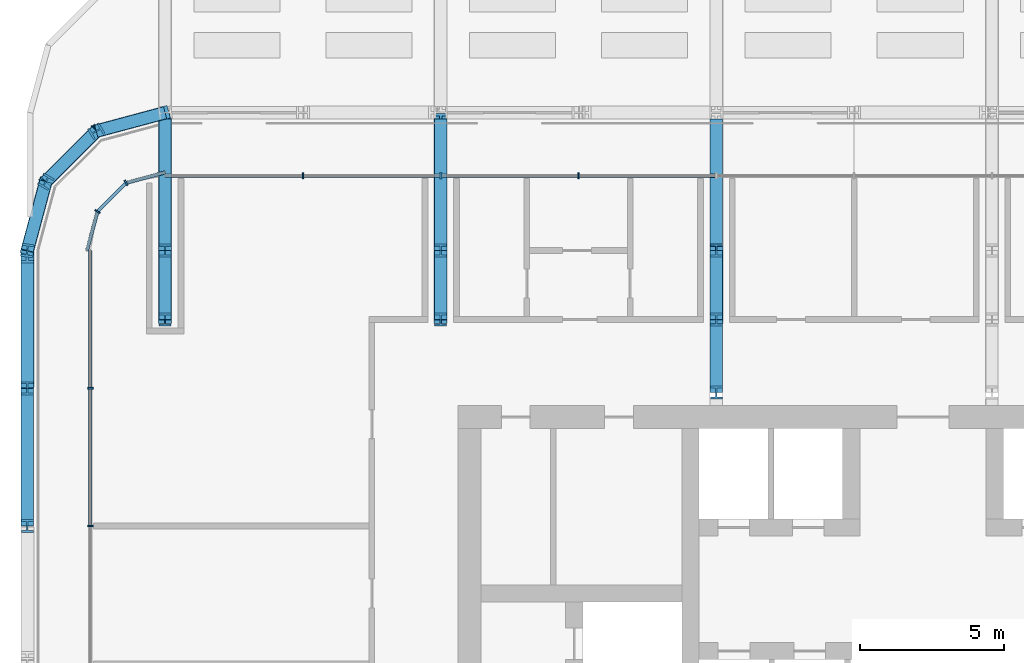
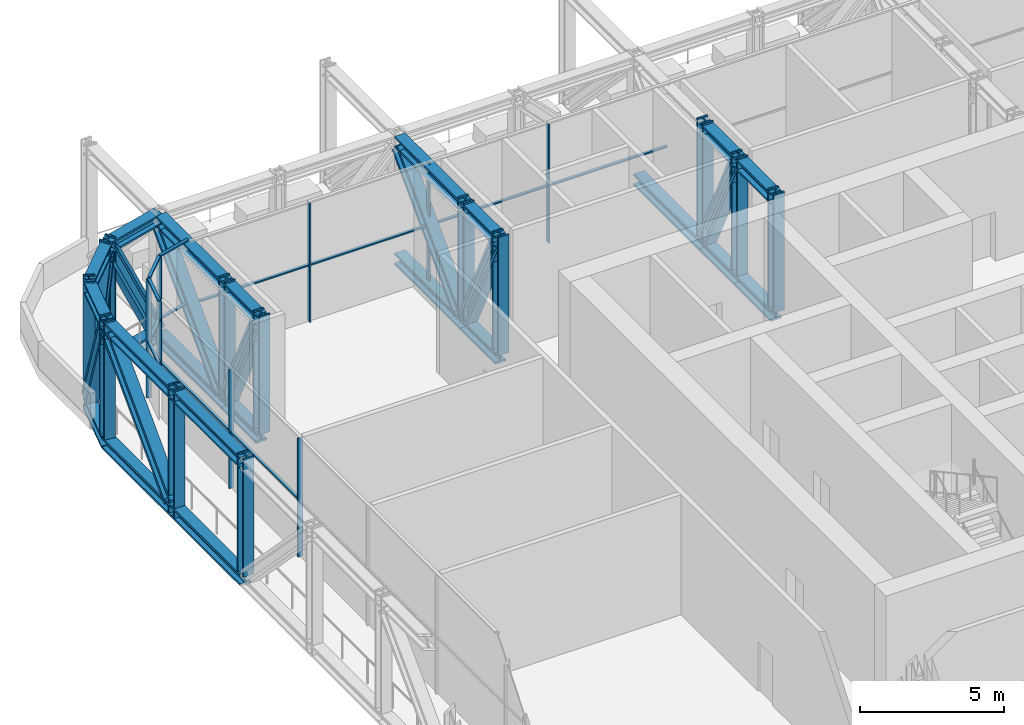
# One storey, part 9 of 27: 63 members, 3 elements without a shape of their own.
"""IFC4 building model written with IfcOpenShell, lengths in metres."""

from ifc_helpers import new_model, si_unit, direction, frame, origin, origin_2d, place, context, subcontext, project, spatial, rectangle, i_section, extrude, material, layer, layer_set, material_profile, profile_set, type_object, element, aggregate, save


model = new_model("IFC4")

# Units and contexts
model_context = context("Model", 3, precision=1e-05, world=origin(), true_north=direction((0.0, 1.0)))
body_context = subcontext(model_context, "Body", "Model", "MODEL_VIEW")
ifc_project = project(units=[si_unit("LENGTHUNIT", "METRE"), si_unit("AREAUNIT", "SQUARE_METRE"), si_unit("VOLUMEUNIT", "CUBIC_METRE"), si_unit("PLANEANGLEUNIT", "RADIAN"), si_unit("MASSUNIT", "GRAM", prefix="KILO")], contexts=[model_context])

# Site, building, storey
site_placement = place(None, origin())
site = spatial("IfcSite", under=ifc_project, at=site_placement, CompositionType="ELEMENT")
building_placement = place(site_placement, origin())
building = spatial("IfcBuilding", under=site, at=building_placement, Name="Madar Terraces", CompositionType="ELEMENT")
storey_placement = place(building_placement, frame((0.0, 0.0, 143.60009765625)))
storey = spatial("IfcBuildingStorey", under=building, at=storey_placement, Name="L37", CompositionType="ELEMENT", Elevation=143.60009765625)

# Members
ifc_material_1 = material(Name="Steel ASTM A913 Grade 65", Category="steel")
ifc_material_profile_1 = material_profile(ifc_material_1, i_section(OverallWidth=0.431884765625, OverallDepth=0.497802734375, WebThickness=0.0556640625, FlangeThickness=0.0888671875, at=origin_2d()), Name="W14x500")
ifc_profile_set_1 = profile_set([ifc_material_profile_1], Name="Steel ASTM A913 Grade 65")
member_type_1 = type_object("IfcMemberType", Name="BC5 W14x500", PredefinedType="CHORD", material=ifc_profile_set_1)
member_1_placement = place(storey_placement, frame((4.800048828125, 48.0, -0.171142578125), z_axis=(-0.965930947833, -0.258799930484, 0.0), x_axis=(0.258799930484, -0.965930947833, 0.0)))
element("IfcMember", 1, at=member_1_placement, inside=storey, type_object=member_type_1, Name="Exoskeleton truss ring bottom chord BC5", PredefinedType="CHORD", context=body_context, shape_type="SweptSolid", body=[
    extrude(i_section(OverallWidth=0.431884765625, OverallDepth=0.497802734375, WebThickness=0.0556640625, FlangeThickness=0.0888671875, at=origin_2d()), origin(), (0.0, 0.0, 1.0), 2.48486328125),
])
member_2_placement = place(storey_placement, frame((2.39990234375, 47.35693359375, -0.171142578125), z_axis=(-0.707106781187, -0.707106781187, 0.0), x_axis=(0.707106781187, -0.707106781187, 0.0)))
element("IfcMember", 2, at=member_2_placement, inside=storey, type_object=member_type_1, Name="Exoskeleton truss ring bottom chord BC5", PredefinedType="CHORD", context=body_context, shape_type="SweptSolid", body=[
    extrude(i_section(OverallWidth=0.431884765625, OverallDepth=0.497802734375, WebThickness=0.0556640625, FlangeThickness=0.0888671875, at=origin_2d()), origin(), (0.0, 0.0, 1.0), 2.484619140625),
])
member_3_placement = place(storey_placement, frame((0.64306640625, 45.60009765625, -0.171142578125), z_axis=(-0.258799930484, -0.965930947833, 0.0), x_axis=(0.965930947833, -0.258799930484, 0.0)))
element("IfcMember", 3, at=member_3_placement, inside=storey, type_object=member_type_1, Name="Exoskeleton truss ring bottom chord BC5", PredefinedType="CHORD", context=body_context, shape_type="SweptSolid", body=[
    extrude(i_section(OverallWidth=0.431884765625, OverallDepth=0.497802734375, WebThickness=0.0556640625, FlangeThickness=0.0888671875, at=origin_2d()), origin(), (0.0, 0.0, 1.0), 2.48486328125),
])
member_4_placement = place(storey_placement, frame((0.0, 43.199951171875, -0.171142578125), z_axis=(0.0, -1.0, 0.0), x_axis=(1.0, 0.0, 0.0)))
element("IfcMember", 4, at=member_4_placement, inside=storey, type_object=member_type_1, Name="Exoskeleton truss ring bottom chord BC5", PredefinedType="CHORD", context=body_context, shape_type="SweptSolid", body=[
    extrude(i_section(OverallWidth=0.431884765625, OverallDepth=0.497802734375, WebThickness=0.0556640625, FlangeThickness=0.0888671875, at=origin_2d()), origin(), (0.0, 0.0, 1.0), 4.800048828125),
])
member_5_placement = place(storey_placement, frame((0.0, 38.39990234375, -0.171142578125), z_axis=(0.0, -1.0, 0.0), x_axis=(1.0, 0.0, 0.0)))
element("IfcMember", 5, at=member_5_placement, inside=storey, type_object=member_type_1, Name="Exoskeleton truss ring bottom chord BC5", PredefinedType="CHORD", context=body_context, shape_type="SweptSolid", body=[
    extrude(i_section(OverallWidth=0.431884765625, OverallDepth=0.497802734375, WebThickness=0.0556640625, FlangeThickness=0.0888671875, at=origin_2d()), origin(), (0.0, 0.0, 1.0), 4.7998046875),
])
member_6_placement = place(storey_placement, frame((4.800048828125, 47.7841796875, -0.171142578125), z_axis=(0.0, -1.0, 0.0), x_axis=(1.0, 0.0, 0.0)))
element("IfcMember", 6, at=member_6_placement, inside=storey, type_object=member_type_1, Name="Exoskeleton truss cross N4.8 bottom chord BC5", PredefinedType="CHORD", context=body_context, shape_type="SweptSolid", body=[
    extrude(i_section(OverallWidth=0.431884765625, OverallDepth=0.497802734375, WebThickness=0.0556640625, FlangeThickness=0.0888671875, at=origin_2d()), origin(), (0.0, 0.0, 1.0), 4.584228515625),
])
member_7_placement = place(storey_placement, frame((4.800048828125, 43.199951171875, -0.171142578125), z_axis=(0.0, -1.0, 0.0), x_axis=(1.0, 0.0, 0.0)))
element("IfcMember", 7, at=member_7_placement, inside=storey, type_object=member_type_1, Name="Exoskeleton truss cross N4.8 bottom chord BC5", PredefinedType="CHORD", context=body_context, shape_type="SweptSolid", body=[
    extrude(i_section(OverallWidth=0.431884765625, OverallDepth=0.497802734375, WebThickness=0.0556640625, FlangeThickness=0.0888671875, at=origin_2d()), origin(), (0.0, 0.0, 1.0), 2.39990234375),
])
member_8_placement = place(storey_placement, frame((14.39990234375, 47.7841796875, -0.171142578125), z_axis=(0.0, -1.0, 0.0), x_axis=(1.0, 0.0, 0.0)))
element("IfcMember", 8, at=member_8_placement, inside=storey, type_object=member_type_1, Name="Exoskeleton truss cross N14.4 bottom chord BC5", PredefinedType="CHORD", context=body_context, shape_type="SweptSolid", body=[
    extrude(i_section(OverallWidth=0.431884765625, OverallDepth=0.497802734375, WebThickness=0.0556640625, FlangeThickness=0.0888671875, at=origin_2d()), origin(), (0.0, 0.0, 1.0), 4.584228515625),
])
member_9_placement = place(storey_placement, frame((14.39990234375, 43.199951171875, -0.171142578125), z_axis=(0.0, -1.0, 0.0), x_axis=(1.0, 0.0, 0.0)))
element("IfcMember", 9, at=member_9_placement, inside=storey, type_object=member_type_1, Name="Exoskeleton truss cross N14.4 bottom chord BC5", PredefinedType="CHORD", context=body_context, shape_type="SweptSolid", body=[
    extrude(i_section(OverallWidth=0.431884765625, OverallDepth=0.497802734375, WebThickness=0.0556640625, FlangeThickness=0.0888671875, at=origin_2d()), origin(), (0.0, 0.0, 1.0), 2.39990234375),
])
member_10_placement = place(storey_placement, frame((24.0, 47.7841796875, -0.171142578125), z_axis=(0.0, -1.0, 0.0), x_axis=(1.0, 0.0, 0.0)))
element("IfcMember", 10, at=member_10_placement, inside=storey, type_object=member_type_1, Name="Exoskeleton truss cross N24 bottom chord BC5", PredefinedType="CHORD", context=body_context, shape_type="SweptSolid", body=[
    extrude(i_section(OverallWidth=0.431884765625, OverallDepth=0.497802734375, WebThickness=0.0556640625, FlangeThickness=0.0888671875, at=origin_2d()), origin(), (0.0, 0.0, 1.0), 4.584228515625),
])
member_11_placement = place(storey_placement, frame((24.0, 43.199951171875, -0.171142578125), z_axis=(0.0, -1.0, 0.0), x_axis=(1.0, 0.0, 0.0)))
element("IfcMember", 11, at=member_11_placement, inside=storey, type_object=member_type_1, Name="Exoskeleton truss cross N24 bottom chord BC5", PredefinedType="CHORD", context=body_context, shape_type="SweptSolid", body=[
    extrude(i_section(OverallWidth=0.431884765625, OverallDepth=0.497802734375, WebThickness=0.0556640625, FlangeThickness=0.0888671875, at=origin_2d()), origin(), (0.0, 0.0, 1.0), 2.39990234375),
])
member_12_placement = place(storey_placement, frame((24.0, 40.800048828125, -0.171142578125), z_axis=(0.0, -1.0, 0.0), x_axis=(1.0, 0.0, 0.0)))
element("IfcMember", 12, at=member_12_placement, inside=storey, type_object=member_type_1, Name="Exoskeleton truss cross N24 bottom chord BC5", PredefinedType="CHORD", context=body_context, shape_type="SweptSolid", body=[
    extrude(i_section(OverallWidth=0.431884765625, OverallDepth=0.497802734375, WebThickness=0.0556640625, FlangeThickness=0.0888671875, at=origin_2d()), origin(), (0.0, 0.0, 1.0), 2.550048828125),
])

# Curtain wall, members
ifc_material_2 = material(Name="Glass, ceramic frit dark grey, with black aluminium frame", Category="aluminium")
ifc_layer = layer(ifc_material_2, 0.199951171875)
ifc_layer_set = layer_set([ifc_layer], Name="Facade curtain wall, tall glazing")
curtain_wall_type = type_object("IfcCurtainWallType", Name="Facade curtain wall, tall glazing", PredefinedType="NOTDEFINED", material=ifc_layer_set)
curtain_wall_1_placement = place(storey_placement, origin())
curtain_wall_1 = element("IfcCurtainWall", 13, at=curtain_wall_1_placement, inside=storey, type_object=curtain_wall_type, Name="Outer skin curtain wall north bay 1", PredefinedType="NOTDEFINED")
ifc_material_3 = material(Name="Aluminium, black anodised", Category="aluminium")
ifc_material_profile_2 = material_profile(ifc_material_3, rectangle(XDim=0.199951171875, YDim=0.06005859375, at=origin_2d()), Name="Facade mullion 60x200")
ifc_profile_set_2 = profile_set([ifc_material_profile_2], Name="Aluminium, black anodised")
member_type_2 = type_object("IfcMemberType", Name="Facade mullion 60x200", PredefinedType="MULLION", material=ifc_profile_set_2)
member_13_placement = place(storey_placement, frame((19.199951171875, 45.800048828125, 0.0), z_axis=(0.0, 0.0, 1.0), x_axis=(0.0, -1.0, 0.0)))
member_13 = element("IfcMember", 14, at=member_13_placement, type_object=member_type_2, Name="Mullion 7", PredefinedType="MULLION", context=body_context, shape_type="SweptSolid", body=[
    extrude(rectangle(XDim=0.199951171875, YDim=0.06005859375, at=origin_2d()), origin(), (0.0, 0.0, 1.0), 5.039794921875),
])
member_14_placement = place(storey_placement, frame((14.39990234375, 45.800048828125, 0.0), z_axis=(0.0, 0.0, 1.0), x_axis=(0.0, -1.0, 0.0)))
member_14 = element("IfcMember", 15, at=member_14_placement, type_object=member_type_2, Name="Mullion 8", PredefinedType="MULLION", context=body_context, shape_type="SweptSolid", body=[
    extrude(rectangle(XDim=0.199951171875, YDim=0.06005859375, at=origin_2d()), origin(), (0.0, 0.0, 1.0), 5.039794921875),
])
member_15_placement = place(storey_placement, frame((9.60009765625, 45.800048828125, 0.0), z_axis=(0.0, 0.0, 1.0), x_axis=(0.0, -1.0, 0.0)))
member_15 = element("IfcMember", 16, at=member_15_placement, type_object=member_type_2, Name="Mullion 9", PredefinedType="MULLION", context=body_context, shape_type="SweptSolid", body=[
    extrude(rectangle(XDim=0.199951171875, YDim=0.06005859375, at=origin_2d()), origin(), (0.0, 0.0, 1.0), 5.039794921875),
])

curtain_wall_2_placement = place(storey_placement, origin())
curtain_wall_2 = element("IfcCurtainWall", 17, at=curtain_wall_2_placement, inside=storey, type_object=curtain_wall_type, Name="Outer skin curtain wall west bay 1", PredefinedType="NOTDEFINED")
member_16_placement = place(storey_placement, frame((2.199951171875, 38.39990234375, 0.0), z_axis=(0.0, 0.0, 1.0), x_axis=(1.0, 0.0, 0.0)))
member_16 = element("IfcMember", 18, at=member_16_placement, type_object=member_type_2, Name="Mullion 1", PredefinedType="MULLION", context=body_context, shape_type="SweptSolid", body=[
    extrude(rectangle(XDim=0.199951171875, YDim=0.06005859375, at=origin_2d()), origin(), (0.0, 0.0, 1.0), 5.039794921875),
])
member_17_placement = place(storey_placement, frame((2.199951171875, 33.60009765625, 0.0), z_axis=(0.0, 0.0, 1.0), x_axis=(1.0, 0.0, 0.0)))
member_17 = element("IfcMember", 19, at=member_17_placement, type_object=member_type_2, Name="Mullion 2", PredefinedType="MULLION", context=body_context, shape_type="SweptSolid", body=[
    extrude(rectangle(XDim=0.199951171875, YDim=0.06005859375, at=origin_2d()), origin(), (0.0, 0.0, 1.0), 5.039794921875),
])

curtain_wall_3_placement = place(storey_placement, origin())
curtain_wall_3 = element("IfcCurtainWall", 20, at=curtain_wall_3_placement, inside=storey, type_object=curtain_wall_type, Name="Outer skin curtain wall north-west corner", PredefinedType="NOTDEFINED")
member_18_placement = place(storey_placement, frame((3.43994140625, 45.5556640625, 0.0), z_axis=(0.0, 0.0, 1.0), x_axis=(0.500000029202, -0.866025386925, 0.0)))
member_18 = element("IfcMember", 21, at=member_18_placement, type_object=member_type_2, Name="Mullion 1", PredefinedType="MULLION", context=body_context, shape_type="SweptSolid", body=[
    extrude(rectangle(XDim=0.199951171875, YDim=0.06005859375, at=origin_2d()), origin(), (0.0, 0.0, 1.0), 5.039794921875),
])
member_19_placement = place(storey_placement, frame((2.4443359375, 44.56005859375, 0.0), z_axis=(0.0, 0.0, 1.0), x_axis=(0.866025386925, -0.500000029202, 0.0)))
member_19 = element("IfcMember", 22, at=member_19_placement, type_object=member_type_2, Name="Mullion 2", PredefinedType="MULLION", context=body_context, shape_type="SweptSolid", body=[
    extrude(rectangle(XDim=0.199951171875, YDim=0.06005859375, at=origin_2d()), origin(), (0.0, 0.0, 1.0), 5.039794921875),
])

# Member
ifc_material_4 = material(Name="Aluminium, black anodised", Category="aluminium")
ifc_material_profile_3 = material_profile(ifc_material_4, rectangle(XDim=0.1201171875, YDim=0.06005859375, at=origin_2d()), Name="Facade transom 60x120")
ifc_profile_set_3 = profile_set([ifc_material_profile_3], Name="Aluminium, black anodised")
member_type_3 = type_object("IfcMemberType", Name="Facade transom 60x120", PredefinedType="USERDEFINED", material=ifc_profile_set_3)
member_20_placement = place(storey_placement, frame((23.969970703125, 45.800048828125, 2.39990234375), z_axis=(-1.0, 0.0, 0.0), x_axis=(0.0, -1.0, 0.0)))
member_20 = element("IfcMember", 23, at=member_20_placement, type_object=member_type_3, Name="Transom 8", ObjectType="TRANSOM", PredefinedType="USERDEFINED", context=body_context, shape_type="SweptSolid", body=[
    extrude(rectangle(XDim=0.1201171875, YDim=0.06005859375, at=origin_2d()), origin(), (0.0, 0.0, 1.0), 4.739990234375),
])

member_21_placement = place(storey_placement, frame((19.169921875, 45.800048828125, 2.39990234375), z_axis=(-1.0, 0.0, 0.0), x_axis=(0.0, -1.0, 0.0)))
member_21 = element("IfcMember", 24, at=member_21_placement, type_object=member_type_3, Name="Transom 9", ObjectType="TRANSOM", PredefinedType="USERDEFINED", context=body_context, shape_type="SweptSolid", body=[
    extrude(rectangle(XDim=0.1201171875, YDim=0.06005859375, at=origin_2d()), origin(), (0.0, 0.0, 1.0), 4.739990234375),
])

member_22_placement = place(storey_placement, frame((14.3701171875, 45.800048828125, 2.39990234375), z_axis=(-1.0, 0.0, 0.0), x_axis=(0.0, -1.0, 0.0)))
member_22 = element("IfcMember", 25, at=member_22_placement, type_object=member_type_3, Name="Transom 10", ObjectType="TRANSOM", PredefinedType="USERDEFINED", context=body_context, shape_type="SweptSolid", body=[
    extrude(rectangle(XDim=0.1201171875, YDim=0.06005859375, at=origin_2d()), origin(), (0.0, 0.0, 1.0), 4.740234375),
])

member_23_placement = place(storey_placement, frame((9.570068359375, 45.800048828125, 2.39990234375), z_axis=(-1.0, 0.0, 0.0), x_axis=(0.0, -1.0, 0.0)))
member_23 = element("IfcMember", 26, at=member_23_placement, type_object=member_type_3, Name="Transom 11", ObjectType="TRANSOM", PredefinedType="USERDEFINED", context=body_context, shape_type="SweptSolid", body=[
    extrude(rectangle(XDim=0.1201171875, YDim=0.06005859375, at=origin_2d()), origin(), (0.0, 0.0, 1.0), 4.77001953125),
])

aggregate(curtain_wall_1, [member_13, member_14, member_15, member_20, member_21, member_22, member_23])

member_24_placement = place(storey_placement, frame((2.199951171875, 43.199951171875, 2.39990234375), z_axis=(0.0, -1.0, 0.0), x_axis=(1.0, 0.0, 0.0)))
member_24 = element("IfcMember", 27, at=member_24_placement, type_object=member_type_3, Name="Transom 2", ObjectType="TRANSOM", PredefinedType="USERDEFINED", context=body_context, shape_type="SweptSolid", body=[
    extrude(rectangle(XDim=0.1201171875, YDim=0.06005859375, at=origin_2d()), origin(), (0.0, 0.0, 1.0), 4.77001953125),
])

member_25_placement = place(storey_placement, frame((2.199951171875, 38.3701171875, 2.39990234375), z_axis=(0.0, -1.0, 0.0), x_axis=(1.0, 0.0, 0.0)))
member_25 = element("IfcMember", 28, at=member_25_placement, type_object=member_type_3, Name="Transom 3", ObjectType="TRANSOM", PredefinedType="USERDEFINED", context=body_context, shape_type="SweptSolid", body=[
    extrude(rectangle(XDim=0.1201171875, YDim=0.06005859375, at=origin_2d()), origin(), (0.0, 0.0, 1.0), 4.740234375),
])

aggregate(curtain_wall_2, [member_16, member_17, member_24, member_25])

member_26_placement = place(storey_placement, frame((4.800048828125, 45.919921875, 5.06982421875), z_axis=(-0.965919580711, -0.258842352791, 0.0), x_axis=(0.258842352791, -0.965919580711, 0.0)))
member_26 = element("IfcMember", 29, at=member_26_placement, type_object=member_type_3, Name="Transom 1", ObjectType="TRANSOM", PredefinedType="USERDEFINED", context=body_context, shape_type="SweptSolid", body=[
    extrude(rectangle(XDim=0.1201171875, YDim=0.06005859375, at=origin_2d()), origin(), (0.0, 0.0, 1.0), 1.3779296875),
])

member_27_placement = place(storey_placement, frame((4.800048828125, 45.919921875, 2.39990234375), z_axis=(-0.965919580711, -0.258842352791, 0.0), x_axis=(0.258842352791, -0.965919580711, 0.0)))
member_27 = element("IfcMember", 30, at=member_27_placement, type_object=member_type_3, Name="Transom 2", ObjectType="TRANSOM", PredefinedType="USERDEFINED", context=body_context, shape_type="SweptSolid", body=[
    extrude(rectangle(XDim=0.1201171875, YDim=0.06005859375, at=origin_2d()), origin(), (0.0, 0.0, 1.0), 1.3779296875),
])

member_28_placement = place(storey_placement, frame((3.418701171875, 45.534423828125, 5.06982421875), z_axis=(-0.707106781187, -0.707106781187, 0.0), x_axis=(0.707106781187, -0.707106781187, 0.0)))
member_28 = element("IfcMember", 31, at=member_28_placement, type_object=member_type_3, Name="Transom 3", ObjectType="TRANSOM", PredefinedType="USERDEFINED", context=body_context, shape_type="SweptSolid", body=[
    extrude(rectangle(XDim=0.1201171875, YDim=0.06005859375, at=origin_2d()), origin(), (0.0, 0.0, 1.0), 1.347900390625),
])

member_29_placement = place(storey_placement, frame((3.418701171875, 45.534423828125, 2.39990234375), z_axis=(-0.707106781187, -0.707106781187, 0.0), x_axis=(0.707106781187, -0.707106781187, 0.0)))
member_29 = element("IfcMember", 32, at=member_29_placement, type_object=member_type_3, Name="Transom 4", ObjectType="TRANSOM", PredefinedType="USERDEFINED", context=body_context, shape_type="SweptSolid", body=[
    extrude(rectangle(XDim=0.1201171875, YDim=0.06005859375, at=origin_2d()), origin(), (0.0, 0.0, 1.0), 1.347900390625),
])

member_30_placement = place(storey_placement, frame((2.436767578125, 44.531005859375, 5.06982421875), z_axis=(-0.258842352791, -0.965919580711, 0.0), x_axis=(0.965919580711, -0.258842352791, 0.0)))
member_30 = element("IfcMember", 33, at=member_30_placement, type_object=member_type_3, Name="Transom 5", ObjectType="TRANSOM", PredefinedType="USERDEFINED", context=body_context, shape_type="SweptSolid", body=[
    extrude(rectangle(XDim=0.1201171875, YDim=0.06005859375, at=origin_2d()), origin(), (0.0, 0.0, 1.0), 1.3779296875),
])

member_31_placement = place(storey_placement, frame((2.436767578125, 44.531005859375, 2.39990234375), z_axis=(-0.258842352791, -0.965919580711, 0.0), x_axis=(0.965919580711, -0.258842352791, 0.0)))
member_31 = element("IfcMember", 34, at=member_31_placement, type_object=member_type_3, Name="Transom 6", ObjectType="TRANSOM", PredefinedType="USERDEFINED", context=body_context, shape_type="SweptSolid", body=[
    extrude(rectangle(XDim=0.1201171875, YDim=0.06005859375, at=origin_2d()), origin(), (0.0, 0.0, 1.0), 1.3779296875),
])

aggregate(curtain_wall_3, [member_18, member_26, member_27, member_19, member_28, member_29, member_30, member_31])

# Members
ifc_material_5 = material(Name="Steel ASTM A913 Grade 65", Category="steel")
ifc_material_profile_4 = material_profile(ifc_material_5, i_section(OverallWidth=0.424072265625, OverallDepth=0.47509765625, WebThickness=0.0478515625, FlangeThickness=0.0771484375, at=origin_2d()), Name="W14x426")
ifc_profile_set_4 = profile_set([ifc_material_profile_4], Name="Steel ASTM A913 Grade 65")
member_type_4 = type_object("IfcMemberType", Name="TC5 W14x426", PredefinedType="CHORD", material=ifc_profile_set_4)
member_32_placement = place(storey_placement, frame((4.800048828125, 48.0, 4.79248046875), z_axis=(-0.965930947833, -0.258799930484, 0.0), x_axis=(0.258799930484, -0.965930947833, 0.0)))
element("IfcMember", 35, at=member_32_placement, inside=storey, type_object=member_type_4, Name="Exoskeleton truss ring top chord TC5", PredefinedType="CHORD", context=body_context, shape_type="SweptSolid", body=[
    extrude(i_section(OverallWidth=0.424072265625, OverallDepth=0.47509765625, WebThickness=0.0478515625, FlangeThickness=0.0771484375, at=origin_2d()), origin(), (0.0, 0.0, 1.0), 2.48486328125),
])
member_33_placement = place(storey_placement, frame((2.39990234375, 47.35693359375, 4.79248046875), z_axis=(-0.707106781187, -0.707106781187, 0.0), x_axis=(0.707106781187, -0.707106781187, 0.0)))
element("IfcMember", 36, at=member_33_placement, inside=storey, type_object=member_type_4, Name="Exoskeleton truss ring top chord TC5", PredefinedType="CHORD", context=body_context, shape_type="SweptSolid", body=[
    extrude(i_section(OverallWidth=0.424072265625, OverallDepth=0.47509765625, WebThickness=0.0478515625, FlangeThickness=0.0771484375, at=origin_2d()), origin(), (0.0, 0.0, 1.0), 2.484619140625),
])
member_34_placement = place(storey_placement, frame((0.64306640625, 45.60009765625, 4.79248046875), z_axis=(-0.258799930484, -0.965930947833, 0.0), x_axis=(0.965930947833, -0.258799930484, 0.0)))
element("IfcMember", 37, at=member_34_placement, inside=storey, type_object=member_type_4, Name="Exoskeleton truss ring top chord TC5", PredefinedType="CHORD", context=body_context, shape_type="SweptSolid", body=[
    extrude(i_section(OverallWidth=0.424072265625, OverallDepth=0.47509765625, WebThickness=0.0478515625, FlangeThickness=0.0771484375, at=origin_2d()), origin(), (0.0, 0.0, 1.0), 2.48486328125),
])
member_35_placement = place(storey_placement, frame((0.0, 43.199951171875, 4.79248046875), z_axis=(0.0, -1.0, 0.0), x_axis=(1.0, 0.0, 0.0)))
element("IfcMember", 38, at=member_35_placement, inside=storey, type_object=member_type_4, Name="Exoskeleton truss ring top chord TC5", PredefinedType="CHORD", context=body_context, shape_type="SweptSolid", body=[
    extrude(i_section(OverallWidth=0.424072265625, OverallDepth=0.47509765625, WebThickness=0.0478515625, FlangeThickness=0.0771484375, at=origin_2d()), origin(), (0.0, 0.0, 1.0), 4.800048828125),
])
member_36_placement = place(storey_placement, frame((0.0, 38.39990234375, 4.79248046875), z_axis=(0.0, -1.0, 0.0), x_axis=(1.0, 0.0, 0.0)))
element("IfcMember", 39, at=member_36_placement, inside=storey, type_object=member_type_4, Name="Exoskeleton truss ring top chord TC5", PredefinedType="CHORD", context=body_context, shape_type="SweptSolid", body=[
    extrude(i_section(OverallWidth=0.424072265625, OverallDepth=0.47509765625, WebThickness=0.0478515625, FlangeThickness=0.0771484375, at=origin_2d()), origin(), (0.0, 0.0, 1.0), 4.7998046875),
])
member_37_placement = place(storey_placement, frame((4.800048828125, 47.787841796875, 4.79248046875), z_axis=(0.0, -1.0, 0.0), x_axis=(1.0, 0.0, 0.0)))
element("IfcMember", 40, at=member_37_placement, inside=storey, type_object=member_type_4, Name="Exoskeleton truss cross N4.8 top chord TC5", PredefinedType="CHORD", context=body_context, shape_type="SweptSolid", body=[
    extrude(i_section(OverallWidth=0.424072265625, OverallDepth=0.47509765625, WebThickness=0.0478515625, FlangeThickness=0.0771484375, at=origin_2d()), origin(), (0.0, 0.0, 1.0), 4.587890625),
])
member_38_placement = place(storey_placement, frame((4.800048828125, 43.199951171875, 4.79248046875), z_axis=(0.0, -1.0, 0.0), x_axis=(1.0, 0.0, 0.0)))
element("IfcMember", 41, at=member_38_placement, inside=storey, type_object=member_type_4, Name="Exoskeleton truss cross N4.8 top chord TC5", PredefinedType="CHORD", context=body_context, shape_type="SweptSolid", body=[
    extrude(i_section(OverallWidth=0.424072265625, OverallDepth=0.47509765625, WebThickness=0.0478515625, FlangeThickness=0.0771484375, at=origin_2d()), origin(), (0.0, 0.0, 1.0), 2.39990234375),
])
member_39_placement = place(storey_placement, frame((14.39990234375, 47.787841796875, 4.79248046875), z_axis=(0.0, -1.0, 0.0), x_axis=(1.0, 0.0, 0.0)))
element("IfcMember", 42, at=member_39_placement, inside=storey, type_object=member_type_4, Name="Exoskeleton truss cross N14.4 top chord TC5", PredefinedType="CHORD", context=body_context, shape_type="SweptSolid", body=[
    extrude(i_section(OverallWidth=0.424072265625, OverallDepth=0.47509765625, WebThickness=0.0478515625, FlangeThickness=0.0771484375, at=origin_2d()), origin(), (0.0, 0.0, 1.0), 4.587890625),
])
for number, where, z_axis, x_axis, name in (
    (43, (14.39990234375, 43.199951171875, 4.79248046875), (0.0, -1.0, 0.0), (1.0, 0.0, 0.0), "Exoskeleton truss cross N14.4 top chord TC5"),
    (44, (24.0, 43.199951171875, 4.79248046875), (0.0, -1.0, 0.0), (1.0, 0.0, 0.0), "Exoskeleton truss cross N24 top chord TC5"),
):
    element("IfcMember", number, at=place(storey_placement, frame(where, z_axis=z_axis, x_axis=x_axis)), inside=storey, type_object=member_type_4, Name=name, PredefinedType="CHORD", context=body_context, shape_type="SweptSolid", body=[
        extrude(i_section(OverallWidth=0.424072265625, OverallDepth=0.47509765625, WebThickness=0.0478515625, FlangeThickness=0.0771484375, at=origin_2d()), origin(), (0.0, 0.0, 1.0), 2.39990234375),
    ])
member_40_placement = place(storey_placement, frame((24.0, 40.800048828125, 4.79248046875), z_axis=(0.0, -1.0, 0.0), x_axis=(1.0, 0.0, 0.0)))
element("IfcMember", 45, at=member_40_placement, inside=storey, type_object=member_type_4, Name="Exoskeleton truss cross N24 top chord TC5", PredefinedType="CHORD", context=body_context, shape_type="SweptSolid", body=[
    extrude(i_section(OverallWidth=0.424072265625, OverallDepth=0.47509765625, WebThickness=0.0478515625, FlangeThickness=0.0771484375, at=origin_2d()), origin(), (0.0, 0.0, 1.0), 2.550048828125),
])
ifc_material_6 = material(Name="Steel ASTM A913 Grade 65", Category="steel")
ifc_material_profile_5 = material_profile(ifc_material_6, i_section(OverallWidth=0.45458984375, OverallDepth=0.56884765625, WebThickness=0.077880859375, FlangeThickness=0.124755859375, at=origin_2d()), Name="W14x730")
ifc_profile_set_5 = profile_set([ifc_material_profile_5], Name="Steel ASTM A913 Grade 65")
member_type_5 = type_object("IfcMemberType", Name="TD5 W14x730", PredefinedType="BRACE", material=ifc_profile_set_5)
for number, where, z_axis, x_axis, name in (
    (46, (4.6796875, 47.9677734375, 0.07763671875), (-0.432362756468, -0.115855859859, 0.894225847622), (0.258828650911, -0.965923252369, 0.0), "Exoskeleton truss ring diagonal TD5"),
    (47, (2.31591796875, 47.27294921875, 4.554931640625), (-0.316503103904, -0.316551864204, -0.894215132106), (0.70716124314, -0.707052315038, 0.0), "Exoskeleton truss ring diagonal TD5"),
    (48, (0.61083984375, 45.479736328125, 0.07763671875), (-0.115855859859, -0.432362756468, 0.894225847622), (0.965923252369, -0.258828650911, 0.0), "Exoskeleton truss ring diagonal TD5"),
):
    element("IfcMember", number, at=place(storey_placement, frame(where, z_axis=z_axis, x_axis=x_axis)), inside=storey, type_object=member_type_5, Name=name, PredefinedType="BRACE", context=body_context, shape_type="SweptSolid", body=[
        extrude(i_section(OverallWidth=0.45458984375, OverallDepth=0.56884765625, WebThickness=0.077880859375, FlangeThickness=0.124755859375, at=origin_2d()), origin(), (0.0, 0.0, 1.0), 5.0068359375),
    ])
member_41_placement = place(storey_placement, frame((0.0, 42.970458984375, 4.554931640625), z_axis=(0.0, -0.695170001979, -0.718845371654), x_axis=(1.0, 0.0, 0.0)))
element("IfcMember", 49, at=member_41_placement, inside=storey, type_object=member_type_5, Name="Exoskeleton truss ring diagonal TD5", PredefinedType="BRACE", context=body_context, shape_type="SweptSolid", body=[
    extrude(i_section(OverallWidth=0.45458984375, OverallDepth=0.56884765625, WebThickness=0.077880859375, FlangeThickness=0.124755859375, at=origin_2d()), origin(), (0.0, 0.0, 1.0), 6.228515625),
])
member_42_placement = place(storey_placement, frame((4.800048828125, 47.770263671875, 4.554931640625), z_axis=(0.0, -0.695149746219, -0.718864959733), x_axis=(1.0, 0.0, 0.0)))
element("IfcMember", 50, at=member_42_placement, inside=storey, type_object=member_type_5, Name="Exoskeleton truss cross N4.8 diagonal TD5", PredefinedType="BRACE", context=body_context, shape_type="SweptSolid", body=[
    extrude(i_section(OverallWidth=0.45458984375, OverallDepth=0.56884765625, WebThickness=0.077880859375, FlangeThickness=0.124755859375, at=origin_2d()), origin(), (0.0, 0.0, 1.0), 6.228271484375),
])
member_43_placement = place(storey_placement, frame((4.800048828125, 43.07958984375, 0.07763671875), z_axis=(0.0, -0.435294010342, 0.900288356339), x_axis=(1.0, 0.0, 0.0)))
element("IfcMember", 51, at=member_43_placement, inside=storey, type_object=member_type_5, Name="Exoskeleton truss cross N4.8 diagonal TD5", PredefinedType="BRACE", context=body_context, shape_type="SweptSolid", body=[
    extrude(i_section(OverallWidth=0.45458984375, OverallDepth=0.56884765625, WebThickness=0.077880859375, FlangeThickness=0.124755859375, at=origin_2d()), origin(), (0.0, 0.0, 1.0), 4.97314453125),
])
member_44_placement = place(storey_placement, frame((14.39990234375, 47.770263671875, 4.554931640625), z_axis=(0.0, -0.695149746219, -0.718864959733), x_axis=(1.0, 0.0, 0.0)))
element("IfcMember", 52, at=member_44_placement, inside=storey, type_object=member_type_5, Name="Exoskeleton truss cross N14.4 diagonal TD5", PredefinedType="BRACE", context=body_context, shape_type="SweptSolid", body=[
    extrude(i_section(OverallWidth=0.45458984375, OverallDepth=0.56884765625, WebThickness=0.077880859375, FlangeThickness=0.124755859375, at=origin_2d()), origin(), (0.0, 0.0, 1.0), 6.228271484375),
])
for number, where, z_axis, x_axis, name in (
    (53, (14.39990234375, 43.07958984375, 0.07763671875), (0.0, -0.435294010342, 0.900288356339), (1.0, 0.0, 0.0), "Exoskeleton truss cross N14.4 diagonal TD5"),
    (54, (24.0, 43.07958984375, 0.07763671875), (0.0, -0.435294010342, 0.900288356339), (1.0, 0.0, 0.0), "Exoskeleton truss cross N24 diagonal TD5"),
):
    element("IfcMember", number, at=place(storey_placement, frame(where, z_axis=z_axis, x_axis=x_axis)), inside=storey, type_object=member_type_5, Name=name, PredefinedType="BRACE", context=body_context, shape_type="SweptSolid", body=[
        extrude(i_section(OverallWidth=0.45458984375, OverallDepth=0.56884765625, WebThickness=0.077880859375, FlangeThickness=0.124755859375, at=origin_2d()), origin(), (0.0, 0.0, 1.0), 4.97314453125),
    ])
ifc_material_7 = material(Name="Steel ASTM A913 Grade 65", Category="steel")
ifc_material_profile_6 = material_profile(ifc_material_7, i_section(OverallWidth=0.419189453125, OverallDepth=0.45458984375, WebThickness=0.042236328125, FlangeThickness=0.067626953125, at=origin_2d()), Name="W14x370")
ifc_profile_set_6 = profile_set([ifc_material_profile_6], Name="Steel ASTM A913 Grade 65")
member_type_6 = type_object("IfcMemberType", Name="TV5 W14x370", PredefinedType="POST", material=ifc_profile_set_6)
for number, where, z_axis, x_axis, name in (
    (55, (2.39990234375, 47.35693359375, 0.07763671875), (0.0, 0.0, 1.0), (0.499999984885, -0.866025412511, 0.0), "Exoskeleton truss ring post TV5"),
    (56, (0.64306640625, 45.60009765625, 0.07763671875), (0.0, 0.0, 1.0), (0.866025412511, -0.499999984885, 0.0), "Exoskeleton truss ring post TV5"),
    (57, (0.0, 43.199951171875, 0.07763671875), (0.0, 0.0, 1.0), (0.991444863652, -0.130526174916, 0.0), "Exoskeleton truss ring post TV5"),
):
    element("IfcMember", number, at=place(storey_placement, frame(where, z_axis=z_axis, x_axis=x_axis)), inside=storey, type_object=member_type_6, Name=name, PredefinedType="POST", context=body_context, shape_type="SweptSolid", body=[
        extrude(i_section(OverallWidth=0.419189453125, OverallDepth=0.45458984375, WebThickness=0.042236328125, FlangeThickness=0.067626953125, at=origin_2d()), origin(), (0.0, 0.0, 1.0), 5.022216796875),
    ])
member_45_placement = place(storey_placement, frame((0.0, 38.39990234375, -0.420166015625), z_axis=(0.0, 0.0, 1.0), x_axis=(1.0, 0.0, 0.0)))
element("IfcMember", 58, at=member_45_placement, inside=storey, type_object=member_type_6, Name="Exoskeleton truss ring post TV5", PredefinedType="POST", context=body_context, shape_type="SweptSolid", body=[
    extrude(i_section(OverallWidth=0.419189453125, OverallDepth=0.45458984375, WebThickness=0.042236328125, FlangeThickness=0.067626953125, at=origin_2d()), origin(), (0.0, 0.0, 1.0), 5.52001953125),
])
for number, where, z_axis, x_axis, name in (
    (59, (0.0, 33.60009765625, 0.07763671875), (0.0, 0.0, 1.0), (1.0, 0.0, 0.0), "Exoskeleton truss ring post TV5"),
    (60, (4.800048828125, 43.199951171875, 0.07763671875), (0.0, 0.0, 1.0), (-1.0, 0.0, 0.0), "Exoskeleton truss cross N4.8 post TV5"),
    (61, (4.800048828125, 40.800048828125, 0.07763671875), (0.0, 0.0, 1.0), (-1.0, 0.0, 0.0), "Exoskeleton truss cross N4.8 post TV5"),
    (62, (14.39990234375, 43.199951171875, 0.07763671875), (0.0, 0.0, 1.0), (-1.0, 0.0, 0.0), "Exoskeleton truss cross N14.4 post TV5"),
    (63, (14.39990234375, 40.800048828125, 0.07763671875), (0.0, 0.0, 1.0), (-1.0, 0.0, 0.0), "Exoskeleton truss cross N14.4 post TV5"),
    (64, (24.0, 43.199951171875, 0.07763671875), (0.0, 0.0, 1.0), (-1.0, 0.0, 0.0), "Exoskeleton truss cross N24 post TV5"),
    (65, (24.0, 40.800048828125, 0.07763671875), (0.0, 0.0, 1.0), (-1.0, 0.0, 0.0), "Exoskeleton truss cross N24 post TV5"),
    (66, (24.0, 38.25, 0.07763671875), (0.0, 0.0, 1.0), (-1.0, 0.0, 0.0), "Exoskeleton truss cross N24 post TV5"),
):
    element("IfcMember", number, at=place(storey_placement, frame(where, z_axis=z_axis, x_axis=x_axis)), inside=storey, type_object=member_type_6, Name=name, PredefinedType="POST", context=body_context, shape_type="SweptSolid", body=[
        extrude(i_section(OverallWidth=0.419189453125, OverallDepth=0.45458984375, WebThickness=0.042236328125, FlangeThickness=0.067626953125, at=origin_2d()), origin(), (0.0, 0.0, 1.0), 5.022216796875),
    ])

save(model, "model.ifc")
